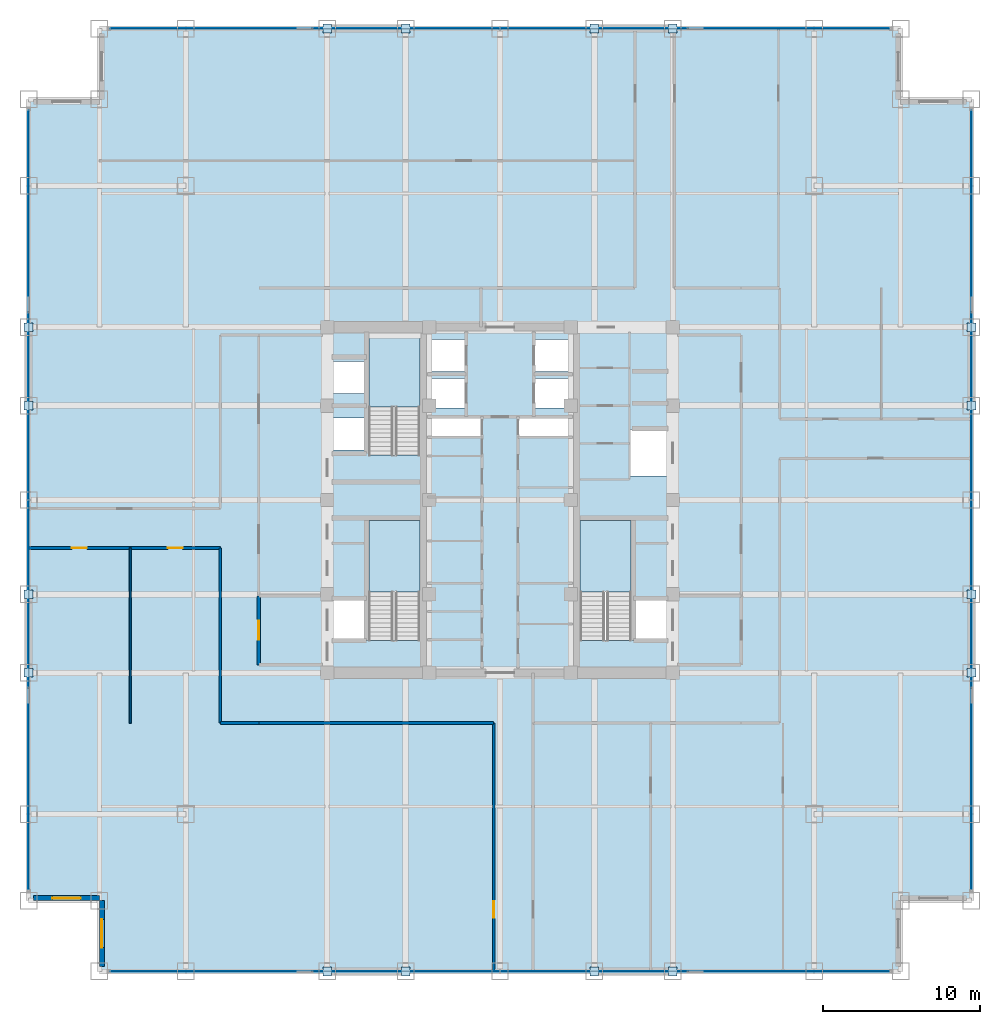
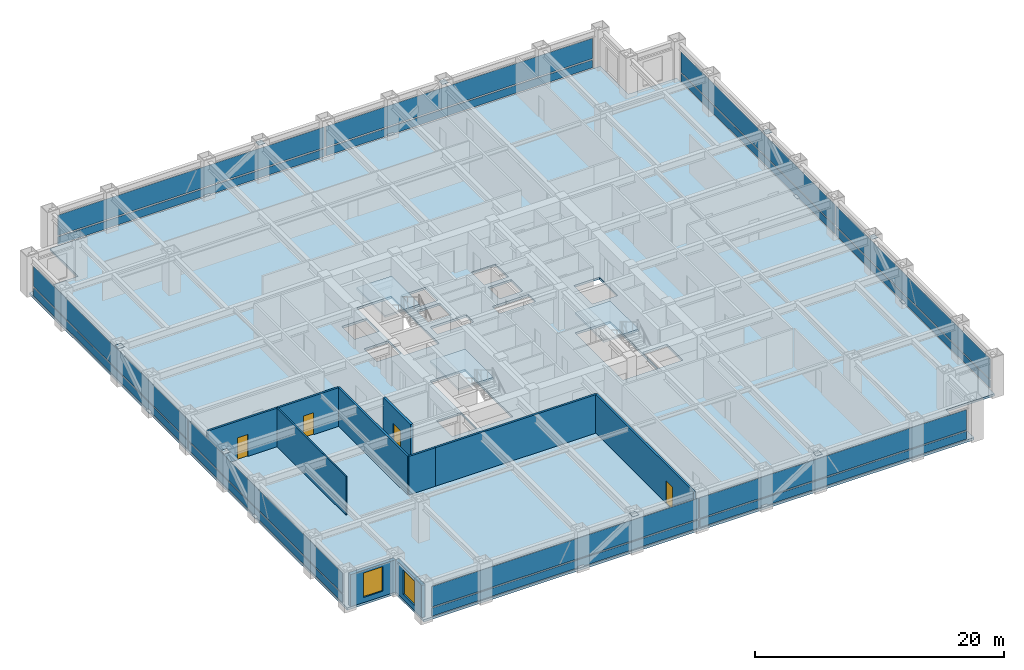
# One storey, part 19 of 25: 32 plates, 9 walls, 4 doors, 4 slabs, 2 windows, 6 openings, 7 elements without a shape of their own.
"""IFC4 building model written with IfcOpenShell, lengths in metres."""

from ifc_helpers import new_model, si_unit, direction, frame, frame_2d, origin, origin_2d, place, context, subcontext, project, spatial, polyline, rectangle, outline, extrude, source, transform, mapped, material, layer, layer_set, type_object, element, fill, aggregate, save


model = new_model("IFC4")

# Units and contexts
model_context = context("Model", 3, precision=1e-05, world=origin(), true_north=direction((0.0, 1.0)))
body_context = subcontext(model_context, "Body", "Model", "MODEL_VIEW")
ifc_project = project(units=[si_unit("LENGTHUNIT", "METRE"), si_unit("AREAUNIT", "SQUARE_METRE"), si_unit("VOLUMEUNIT", "CUBIC_METRE"), si_unit("PLANEANGLEUNIT", "RADIAN"), si_unit("MASSUNIT", "GRAM", prefix="KILO")], contexts=[model_context])

# Site, building, storey
site_placement = place(None, origin())
site = spatial("IfcSite", under=ifc_project, at=site_placement, CompositionType="ELEMENT")
building_placement = place(site_placement, origin())
building = spatial("IfcBuilding", under=site, at=building_placement, Name="Khorayat Bourse Tower", CompositionType="ELEMENT")
storey_placement = place(building_placement, frame((0.0, 0.0, 199.10009765625)))
storey = spatial("IfcBuildingStorey", under=building, at=storey_placement, Name="L46", CompositionType="ELEMENT", Elevation=199.10009765625)

# Stair, slab
ifc_material_1 = material(Name="Concrete C40/50", Category="concrete")
stair_type = type_object("IfcStairType", Name="STR-CORE-1550", PredefinedType="HALF_TURN_STAIR", material=ifc_material_1)
stair_1_placement = place(storey_placement, origin())
stair_1 = element("IfcStair", 1, at=stair_1_placement, inside=storey, type_object=stair_type, Name="L46 Exit Stair ST-1", PredefinedType="HALF_TURN_STAIR")
ifc_layer_1 = layer(ifc_material_1, 0.199951171875)
ifc_layer_set_1 = layer_set([ifc_layer_1], Name="Concrete C40/50")
slab_type_1 = type_object("IfcSlabType", Name="SLB-LANDING-200", PredefinedType="LANDING", material=ifc_layer_set_1)
slab_1_placement = place(storey_placement, frame((0.0, 0.0, 1.7998046875)))
slab_1 = element("IfcSlab", 2, at=slab_1_placement, type_object=slab_type_1, Name="ST-1 landing 1", PredefinedType="LANDING", context=body_context, shape_type="SweptSolid", body=[
    extrude(outline(polyline([(-5.10009765625, -5.8701171875), (-5.10009765625, -1.300048828125), (-8.35009765625, -1.300048828125), (-8.35009765625, -5.8701171875), (-5.10009765625, -5.8701171875)])), origin(), (0.0, 0.0, 1.0), 0.2001953125),
])
aggregate(stair_1, [slab_1])

stair_2_placement = place(storey_placement, origin())
stair_2 = element("IfcStair", 3, at=stair_2_placement, inside=storey, type_object=stair_type, Name="L46 Exit Stair ST-2", PredefinedType="HALF_TURN_STAIR")
slab_2_placement = place(storey_placement, frame((0.0, 0.0, 1.7998046875)))
slab_2 = element("IfcSlab", 4, at=slab_2_placement, type_object=slab_type_1, Name="ST-2 landing 1", PredefinedType="LANDING", context=body_context, shape_type="SweptSolid", body=[
    extrude(outline(polyline([(-5.10009765625, 5.929931640625), (-5.10009765625, 10.5), (-8.35009765625, 10.5), (-8.35009765625, 5.929931640625), (-5.10009765625, 5.929931640625)])), origin(), (0.0, 0.0, 1.0), 0.2001953125),
])
aggregate(stair_2, [slab_2])

stair_3_placement = place(storey_placement, origin())
stair_3 = element("IfcStair", 5, at=stair_3_placement, inside=storey, type_object=stair_type, Name="L46 Exit Stair ST-3", PredefinedType="HALF_TURN_STAIR")
slab_3_placement = place(storey_placement, frame((0.0, 0.0, 1.7998046875)))
slab_3 = element("IfcSlab", 6, at=slab_3_placement, type_object=slab_type_1, Name="ST-3 landing 1", PredefinedType="LANDING", context=body_context, shape_type="SweptSolid", body=[
    extrude(outline(polyline([(8.35009765625, -5.8701171875), (8.35009765625, -1.300048828125), (5.10009765625, -1.300048828125), (5.10009765625, -5.8701171875), (8.35009765625, -5.8701171875)])), origin(), (0.0, 0.0, 1.0), 0.2001953125),
])
aggregate(stair_3, [slab_3])

# Slab
ifc_layer_2 = layer(ifc_material_1, 0.219970703125)
ifc_layer_set_2 = layer_set([ifc_layer_2], Name="Concrete C40/50")
slab_type_2 = type_object("IfcSlabType", Name="SLB-OFFICE-220", PredefinedType="FLOOR", material=ifc_layer_set_2)
slab_4_placement = place(storey_placement, frame((0.0, 0.0, -0.22021484375)))
element("IfcSlab", 7, at=slab_4_placement, inside=storey, type_object=slab_type_2, Name="L46 Main Floor Slab", PredefinedType="FLOOR", context=body_context, shape_type="SweptSolid", body=[
    extrude(outline(polyline([(-25.5, -30.0), (25.5, -30.0), (25.5, -25.5), (30.0, -25.5), (30.0, 25.5), (25.5, 25.5), (25.5, 30.0), (-25.5, 30.0), (-25.5, 25.5), (-30.0, 25.5), (-30.0, -25.5), (-25.5, -25.5), (-25.5, -30.0)]), holes=[polyline([(-8.35009765625, -8.945068359375), (-5.10009765625, -8.945068359375), (-5.10009765625, -1.300048828125), (-8.35009765625, -1.300048828125), (-8.35009765625, -8.945068359375)]), polyline([(-8.35009765625, 2.85498046875), (-5.10009765625, 2.85498046875), (-5.10009765625, 10.5), (-8.35009765625, 10.5), (-8.35009765625, 2.85498046875)]), polyline([(5.10009765625, -8.945068359375), (8.35009765625, -8.945068359375), (8.35009765625, -1.300048828125), (5.10009765625, -1.300048828125), (5.10009765625, -8.945068359375)]), polyline([(-4.3798828125, 8.169921875), (-2.1201171875, 8.169921875), (-2.1201171875, 10.22998046875), (-4.3798828125, 10.22998046875), (-4.3798828125, 8.169921875)]), polyline([(2.1201171875, 8.169921875), (4.3798828125, 8.169921875), (4.3798828125, 10.22998046875), (2.1201171875, 10.22998046875), (2.1201171875, 8.169921875)]), polyline([(-4.3798828125, 5.8701171875), (-2.219970703125, 5.8701171875), (-2.219970703125, 7.72998046875), (-4.3798828125, 7.72998046875), (-4.3798828125, 5.8701171875)]), polyline([(2.219970703125, 5.8701171875), (4.3798828125, 5.8701171875), (4.3798828125, 7.72998046875), (2.219970703125, 7.72998046875), (2.219970703125, 5.8701171875)]), polyline([(-10.679931640625, 3.169921875), (-8.419921875, 3.169921875), (-8.419921875, 5.22998046875), (-10.679931640625, 5.22998046875), (-10.679931640625, 3.169921875)]), polyline([(-10.679931640625, 6.77001953125), (-8.419921875, 6.77001953125), (-8.419921875, 8.830078125), (-10.679931640625, 8.830078125), (-10.679931640625, 6.77001953125)]), polyline([(-10.679931640625, -8.929931640625), (-8.419921875, -8.929931640625), (-8.419921875, -6.3701171875), (-10.679931640625, -6.3701171875), (-10.679931640625, -8.929931640625)]), polyline([(8.419921875, -8.929931640625), (10.679931640625, -8.929931640625), (10.679931640625, -6.3701171875), (8.419921875, -6.3701171875), (8.419921875, -8.929931640625)]), polyline([(8.320068359375, 1.52001953125), (10.679931640625, 1.52001953125), (10.679931640625, 4.47998046875), (8.320068359375, 4.47998046875), (8.320068359375, 1.52001953125)]), polyline([(-4.56005859375, 4.080078125), (-1.18994140625, 4.080078125), (-1.18994140625, 5.219970703125), (-4.56005859375, 5.219970703125), (-4.56005859375, 4.080078125)]), polyline([(1.18994140625, 4.080078125), (4.56005859375, 4.080078125), (4.56005859375, 5.219970703125), (1.18994140625, 5.219970703125), (1.18994140625, 4.080078125)])]), origin(), (0.0, 0.0, 1.0), 0.22021484375),
])

# Plates
ifc_material_2 = material(Name="Steel EN 10025-2 S355J2", Category="steel")
ifc_layer_3 = layer(ifc_material_2, 0.02490234375)
ifc_layer_set_3 = layer_set([ifc_layer_3], Name="Steel EN 10025-2 S355J2")
plate_type_1 = type_object("IfcPlateType", Name="PLT-ENDCAP-25", PredefinedType="SHEET", material=ifc_layer_set_3)
shared_shape_1 = source(origin(), body_context, "Body", "SweptSolid", [
    extrude(rectangle(XDim=0.56005859375, YDim=0.56005859375, at=origin_2d()), origin(), (0.0, 0.0, 1.0), 0.02490234375),
])
for number, where, z_axis, x_axis, name in (
    (8, (-11.0, -30.0, 0.237548828125), (0.0, 0.0, 1.0), (1.0, 0.0, 0.0), "L46 Perimeter Brace End Plate 001"),
    (9, (-6.0, -30.0, 3.517333984375), (0.0, 0.0, 1.0), (1.0, 0.0, 0.0), "L46 Perimeter Brace End Plate 002"),
    (10, (6.0, -30.0, 0.237548828125), (0.0, 0.0, 1.0), (1.0, 0.0, 0.0), "L46 Perimeter Brace End Plate 003"),
    (11, (11.0, -30.0, 3.517333984375), (0.0, 0.0, 1.0), (1.0, 0.0, 0.0), "L46 Perimeter Brace End Plate 004"),
    (12, (-11.0, 30.0, 0.237548828125), (0.0, 0.0, 1.0), (1.0, 0.0, 0.0), "L46 Perimeter Brace End Plate 005"),
    (13, (-6.0, 30.0, 3.517333984375), (0.0, 0.0, 1.0), (1.0, 0.0, 0.0), "L46 Perimeter Brace End Plate 006"),
    (14, (6.0, 30.0, 0.237548828125), (0.0, 0.0, 1.0), (1.0, 0.0, 0.0), "L46 Perimeter Brace End Plate 007"),
    (15, (11.0, 30.0, 3.517333984375), (0.0, 0.0, 1.0), (1.0, 0.0, 0.0), "L46 Perimeter Brace End Plate 008"),
    (16, (-30.0, -11.0, 0.237548828125), (0.0, 0.0, 1.0), (1.0, 0.0, 0.0), "L46 Perimeter Brace End Plate 009"),
    (17, (-30.0, -6.0, 3.517333984375), (0.0, 0.0, 1.0), (1.0, 0.0, 0.0), "L46 Perimeter Brace End Plate 010"),
    (18, (-30.0, 6.0, 0.237548828125), (0.0, 0.0, 1.0), (1.0, 0.0, 0.0), "L46 Perimeter Brace End Plate 011"),
    (19, (-30.0, 11.0, 3.517333984375), (0.0, 0.0, 1.0), (1.0, 0.0, 0.0), "L46 Perimeter Brace End Plate 012"),
    (20, (30.0, -11.0, 0.237548828125), (0.0, 0.0, 1.0), (1.0, 0.0, 0.0), "L46 Perimeter Brace End Plate 013"),
    (21, (30.0, -6.0, 3.517333984375), (0.0, 0.0, 1.0), (1.0, 0.0, 0.0), "L46 Perimeter Brace End Plate 014"),
    (22, (30.0, 6.0, 0.237548828125), (0.0, 0.0, 1.0), (1.0, 0.0, 0.0), "L46 Perimeter Brace End Plate 015"),
    (23, (30.0, 11.0, 3.517333984375), (0.0, 0.0, 1.0), (1.0, 0.0, 0.0), "L46 Perimeter Brace End Plate 016"),
):
    element("IfcPlate", number, at=place(storey_placement, frame(where, z_axis=z_axis, x_axis=x_axis)), inside=storey, type_object=plate_type_1, Name=name, PredefinedType="SHEET", context=body_context, shape_type="MappedRepresentation", body=[
        mapped(shared_shape_1, transform((0.0, 0.0, 0.0), scale=1.0)),
    ])

# Curtain wall, plates
ifc_material_3 = material(Name="Aluminium EN AW-6063 T6", Category="aluminium")
curtain_wall_type = type_object("IfcCurtainWallType", Name="CW-SYS-03", PredefinedType="NOTDEFINED", material=ifc_material_3)
curtain_wall_1_placement = place(storey_placement, origin())
curtain_wall_1 = element("IfcCurtainWall", 24, at=curtain_wall_1_placement, inside=storey, type_object=curtain_wall_type, Name="L46 Curtain Wall CW-L46-S1", PredefinedType="NOTDEFINED")
ifc_material_4 = material(Name="Honed desert limestone insulated spandrel", Category="masonry")
ifc_layer_4 = layer(ifc_material_4, 0.06494140625)
ifc_layer_set_4 = layer_set([ifc_layer_4], Name="Honed desert limestone insulated spandrel")
plate_type_2 = type_object("IfcPlateType", Name="CWP-SPAND-03", PredefinedType="CURTAIN_PANEL", material=ifc_layer_set_4)
shared_shape_2 = source(origin(), body_context, "Body", "SweptSolid", [
    extrude(rectangle(XDim=24.719970703125, YDim=0.06494140625, at=origin_2d()), origin(), (0.0, 0.0, 1.0), 0.77001953125),
])
plate_1_placement = place(storey_placement, frame((-12.419921875, -30.0, 0.119873046875), z_axis=(0.0, 0.0, 1.0), x_axis=(1.0, 0.0, 0.0)))
plate_1 = element("IfcPlate", 25, at=plate_1_placement, type_object=plate_type_2, Name="CW-L46-S1 Spandrel Panel 1-1", PredefinedType="CURTAIN_PANEL", context=body_context, shape_type="MappedRepresentation", body=[
    mapped(shared_shape_2, transform((0.0, 0.0, 0.0), scale=1.0)),
])
plate_2_placement = place(storey_placement, frame((12.419921875, -30.0, 0.119873046875), z_axis=(0.0, 0.0, 1.0), x_axis=(1.0, 0.0, 0.0)))
plate_2 = element("IfcPlate", 26, at=plate_2_placement, type_object=plate_type_2, Name="CW-L46-S1 Spandrel Panel 2-1", PredefinedType="CURTAIN_PANEL", context=body_context, shape_type="MappedRepresentation", body=[
    mapped(shared_shape_2, transform((0.0, 0.0, 0.0), scale=1.0)),
])

curtain_wall_2_placement = place(storey_placement, origin())
curtain_wall_2 = element("IfcCurtainWall", 27, at=curtain_wall_2_placement, inside=storey, type_object=curtain_wall_type, Name="L46 Curtain Wall CW-L46-N1", PredefinedType="NOTDEFINED")
plate_3_placement = place(storey_placement, frame((-12.419921875, 30.0, 0.119873046875), z_axis=(0.0, 0.0, 1.0), x_axis=(1.0, 0.0, 0.0)))
plate_3 = element("IfcPlate", 28, at=plate_3_placement, type_object=plate_type_2, Name="CW-L46-N1 Spandrel Panel 1-1", PredefinedType="CURTAIN_PANEL", context=body_context, shape_type="MappedRepresentation", body=[
    mapped(shared_shape_2, transform((0.0, 0.0, 0.0), scale=1.0)),
])
plate_4_placement = place(storey_placement, frame((12.419921875, 30.0, 0.119873046875), z_axis=(0.0, 0.0, 1.0), x_axis=(1.0, 0.0, 0.0)))
plate_4 = element("IfcPlate", 29, at=plate_4_placement, type_object=plate_type_2, Name="CW-L46-N1 Spandrel Panel 2-1", PredefinedType="CURTAIN_PANEL", context=body_context, shape_type="MappedRepresentation", body=[
    mapped(shared_shape_2, transform((0.0, 0.0, 0.0), scale=1.0)),
])

curtain_wall_3_placement = place(storey_placement, origin())
curtain_wall_3 = element("IfcCurtainWall", 30, at=curtain_wall_3_placement, inside=storey, type_object=curtain_wall_type, Name="L46 Curtain Wall CW-L46-W1", PredefinedType="NOTDEFINED")
plate_5_placement = place(storey_placement, frame((-30.0, -12.419921875, 0.119873046875), z_axis=(0.0, 0.0, 1.0), x_axis=(0.0, 1.0, 0.0)))
plate_5 = element("IfcPlate", 31, at=plate_5_placement, type_object=plate_type_2, Name="CW-L46-W1 Spandrel Panel 1-1", PredefinedType="CURTAIN_PANEL", context=body_context, shape_type="MappedRepresentation", body=[
    mapped(shared_shape_2, transform((0.0, 0.0, 0.0), scale=1.0)),
])
plate_6_placement = place(storey_placement, frame((-30.0, 12.419921875, 0.119873046875), z_axis=(0.0, 0.0, 1.0), x_axis=(0.0, 1.0, 0.0)))
plate_6 = element("IfcPlate", 32, at=plate_6_placement, type_object=plate_type_2, Name="CW-L46-W1 Spandrel Panel 2-1", PredefinedType="CURTAIN_PANEL", context=body_context, shape_type="MappedRepresentation", body=[
    mapped(shared_shape_2, transform((0.0, 0.0, 0.0), scale=1.0)),
])

curtain_wall_4_placement = place(storey_placement, origin())
curtain_wall_4 = element("IfcCurtainWall", 33, at=curtain_wall_4_placement, inside=storey, type_object=curtain_wall_type, Name="L46 Curtain Wall CW-L46-E1", PredefinedType="NOTDEFINED")
plate_7_placement = place(storey_placement, frame((30.0, -12.419921875, 0.119873046875), z_axis=(0.0, 0.0, 1.0), x_axis=(0.0, 1.0, 0.0)))
plate_7 = element("IfcPlate", 34, at=plate_7_placement, type_object=plate_type_2, Name="CW-L46-E1 Spandrel Panel 1-1", PredefinedType="CURTAIN_PANEL", context=body_context, shape_type="MappedRepresentation", body=[
    mapped(shared_shape_2, transform((0.0, 0.0, 0.0), scale=1.0)),
])
plate_8_placement = place(storey_placement, frame((30.0, 12.419921875, 0.119873046875), z_axis=(0.0, 0.0, 1.0), x_axis=(0.0, 1.0, 0.0)))
plate_8 = element("IfcPlate", 35, at=plate_8_placement, type_object=plate_type_2, Name="CW-L46-E1 Spandrel Panel 2-1", PredefinedType="CURTAIN_PANEL", context=body_context, shape_type="MappedRepresentation", body=[
    mapped(shared_shape_2, transform((0.0, 0.0, 0.0), scale=1.0)),
])

# Plate
ifc_material_5 = material(Name="Low-E solar-control laminated double glazing", Category="glass")
ifc_layer_5 = layer(ifc_material_5, 0.035888671875)
ifc_layer_set_5 = layer_set([ifc_layer_5], Name="Low-E solar-control laminated double glazing")
plate_type_3 = type_object("IfcPlateType", Name="CWP-VIS-01", PredefinedType="CURTAIN_PANEL", material=ifc_layer_set_5)
shared_shape_3 = source(origin(), body_context, "Body", "SweptSolid", [
    extrude(rectangle(XDim=24.719970703125, YDim=0.035888671875, at=origin_2d()), origin(), (0.0, 0.0, 1.0), 2.0),
])
plate_9_placement = place(storey_placement, frame((-12.419921875, -30.0, 1.010009765625), z_axis=(0.0, 0.0, 1.0), x_axis=(1.0, 0.0, 0.0)))
plate_9 = element("IfcPlate", 36, at=plate_9_placement, type_object=plate_type_3, Name="CW-L46-S1 Vision Panel 1-2", PredefinedType="CURTAIN_PANEL", context=body_context, shape_type="MappedRepresentation", body=[
    mapped(shared_shape_3, transform((0.0, 0.0, 0.0), scale=1.0)),
])

plate_10_placement = place(storey_placement, frame((12.419921875, -30.0, 1.010009765625), z_axis=(0.0, 0.0, 1.0), x_axis=(1.0, 0.0, 0.0)))
plate_10 = element("IfcPlate", 37, at=plate_10_placement, type_object=plate_type_3, Name="CW-L46-S1 Vision Panel 2-2", PredefinedType="CURTAIN_PANEL", context=body_context, shape_type="MappedRepresentation", body=[
    mapped(shared_shape_3, transform((0.0, 0.0, 0.0), scale=1.0)),
])

aggregate(curtain_wall_1, [plate_1, plate_9, plate_2, plate_10])

plate_11_placement = place(storey_placement, frame((-12.419921875, 30.0, 1.010009765625), z_axis=(0.0, 0.0, 1.0), x_axis=(1.0, 0.0, 0.0)))
plate_11 = element("IfcPlate", 38, at=plate_11_placement, type_object=plate_type_3, Name="CW-L46-N1 Vision Panel 1-2", PredefinedType="CURTAIN_PANEL", context=body_context, shape_type="MappedRepresentation", body=[
    mapped(shared_shape_3, transform((0.0, 0.0, 0.0), scale=1.0)),
])

plate_12_placement = place(storey_placement, frame((12.419921875, 30.0, 1.010009765625), z_axis=(0.0, 0.0, 1.0), x_axis=(1.0, 0.0, 0.0)))
plate_12 = element("IfcPlate", 39, at=plate_12_placement, type_object=plate_type_3, Name="CW-L46-N1 Vision Panel 2-2", PredefinedType="CURTAIN_PANEL", context=body_context, shape_type="MappedRepresentation", body=[
    mapped(shared_shape_3, transform((0.0, 0.0, 0.0), scale=1.0)),
])

aggregate(curtain_wall_2, [plate_3, plate_11, plate_4, plate_12])

plate_13_placement = place(storey_placement, frame((-30.0, -12.419921875, 1.010009765625), z_axis=(0.0, 0.0, 1.0), x_axis=(0.0, 1.0, 0.0)))
plate_13 = element("IfcPlate", 40, at=plate_13_placement, type_object=plate_type_3, Name="CW-L46-W1 Vision Panel 1-2", PredefinedType="CURTAIN_PANEL", context=body_context, shape_type="MappedRepresentation", body=[
    mapped(shared_shape_3, transform((0.0, 0.0, 0.0), scale=1.0)),
])

plate_14_placement = place(storey_placement, frame((-30.0, 12.419921875, 1.010009765625), z_axis=(0.0, 0.0, 1.0), x_axis=(0.0, 1.0, 0.0)))
plate_14 = element("IfcPlate", 41, at=plate_14_placement, type_object=plate_type_3, Name="CW-L46-W1 Vision Panel 2-2", PredefinedType="CURTAIN_PANEL", context=body_context, shape_type="MappedRepresentation", body=[
    mapped(shared_shape_3, transform((0.0, 0.0, 0.0), scale=1.0)),
])

aggregate(curtain_wall_3, [plate_5, plate_13, plate_6, plate_14])

plate_15_placement = place(storey_placement, frame((30.0, -12.419921875, 1.010009765625), z_axis=(0.0, 0.0, 1.0), x_axis=(0.0, 1.0, 0.0)))
plate_15 = element("IfcPlate", 42, at=plate_15_placement, type_object=plate_type_3, Name="CW-L46-E1 Vision Panel 1-2", PredefinedType="CURTAIN_PANEL", context=body_context, shape_type="MappedRepresentation", body=[
    mapped(shared_shape_3, transform((0.0, 0.0, 0.0), scale=1.0)),
])

plate_16_placement = place(storey_placement, frame((30.0, 12.419921875, 1.010009765625), z_axis=(0.0, 0.0, 1.0), x_axis=(0.0, 1.0, 0.0)))
plate_16 = element("IfcPlate", 43, at=plate_16_placement, type_object=plate_type_3, Name="CW-L46-E1 Vision Panel 2-2", PredefinedType="CURTAIN_PANEL", context=body_context, shape_type="MappedRepresentation", body=[
    mapped(shared_shape_3, transform((0.0, 0.0, 0.0), scale=1.0)),
])

aggregate(curtain_wall_4, [plate_7, plate_15, plate_8, plate_16])

# Wall, opening, window
ifc_material_6 = material(Name="Precast concrete C45/55", Category="concrete")
ifc_layer_6 = layer(ifc_material_6, 0.320068359375)
ifc_layer_set_6 = layer_set([ifc_layer_6], Name="Precast concrete C45/55")
wall_type_1 = type_object("IfcWallType", Name="WAL-EXT-STONE-320", PredefinedType="STANDARD", material=ifc_layer_set_6)
shared_shape_4 = source(origin(), body_context, "Body", "SweptSolid", [
    extrude(rectangle(XDim=4.179931640625, YDim=0.320068359375, at=frame_2d((2.08984375, 0.0))), origin(), (0.0, 0.0, 1.0), 3.163818359375),
])
wall_1_placement = place(storey_placement, frame((-25.5, -25.340087890625, 0.0), z_axis=(0.0, 0.0, 1.0), x_axis=(-1.0, 0.0, 0.0)))
wall_1 = element("IfcWall", 44, at=wall_1_placement, inside=storey, type_object=wall_type_1, Name="L46 Re-Entrant Notch Limestone Wall SW-H", PredefinedType="STANDARD", context=body_context, shape_type="MappedRepresentation", body=[
    mapped(shared_shape_4, transform((0.0, 0.0, 0.0), scale=1.0)),
])
shared_shape_5 = source(origin(), body_context, "Body", "SweptSolid", [
    extrude(rectangle(XDim=1.800048828125, YDim=2.39990234375, at=frame_2d((0.89990234375, 1.199951171875))), frame((0.0, 0.169921875, 0.0), z_axis=(0.0, -1.0, 0.0), x_axis=(1.0, 0.0, 0.0)), (0.0, 0.0, 1.0), 0.340087890625),
])
opening_1_placement = place(wall_1_placement, frame((1.18994140625, 0.0, 0.5)))
opening_1 = element("IfcOpeningElement", 45, at=opening_1_placement, cuts=wall_1, Name="Opening WN-04", PredefinedType="OPENING", context=body_context, shape_type="MappedRepresentation", body=[
    mapped(shared_shape_5, transform((0.0, 0.0, 0.0), scale=1.0)),
])
ifc_material_7 = material(Name="Low-E acoustic laminated double glazing", Category="glass")
window_type = type_object("IfcWindowType", Name="WIN-NOTCH-1800x2400", PartitioningType="SINGLE_PANEL", PredefinedType="WINDOW", material=ifc_material_7)
shared_shape_6 = source(origin(), body_context, "Body", "SweptSolid", [
    extrude(rectangle(XDim=1.800048828125, YDim=2.39990234375, at=frame_2d((0.89990234375, 1.199951171875))), frame((0.0, 0.030029296875, 0.0), z_axis=(0.0, -1.0, 0.0), x_axis=(1.0, 0.0, 0.0)), (0.0, 0.0, 1.0), 0.06005859375),
])
window_1_placement = place(opening_1_placement, origin())
window_1 = element("IfcWindow", 46, at=window_1_placement, inside=storey, type_object=window_type, Name="L46 Facade Window 1", OverallHeight=2.39990234375, OverallWidth=1.800048828125, PartitioningType="SINGLE_PANEL", PredefinedType="WINDOW", context=body_context, shape_type="MappedRepresentation", body=[
    mapped(shared_shape_6, transform((0.0, 0.0, 0.0), scale=1.0)),
])
fill(opening_1, window_1)

wall_2_placement = place(storey_placement, frame((-25.340087890625, -29.679931640625, 0.0), z_axis=(0.0, 0.0, 1.0), x_axis=(0.0, 1.0, 0.0)))
wall_2 = element("IfcWall", 47, at=wall_2_placement, inside=storey, type_object=wall_type_1, Name="L46 Re-Entrant Notch Limestone Wall SW-V", PredefinedType="STANDARD", context=body_context, shape_type="MappedRepresentation", body=[
    mapped(shared_shape_4, transform((0.0, 0.0, 0.0), scale=1.0)),
])
opening_2_placement = place(wall_2_placement, frame((1.18994140625, 0.0, 0.5)))
opening_2 = element("IfcOpeningElement", 48, at=opening_2_placement, cuts=wall_2, Name="Opening WN-04", PredefinedType="OPENING", context=body_context, shape_type="MappedRepresentation", body=[
    mapped(shared_shape_5, transform((0.0, 0.0, 0.0), scale=1.0)),
])
window_2_placement = place(opening_2_placement, origin())
window_2 = element("IfcWindow", 49, at=window_2_placement, inside=storey, type_object=window_type, Name="L46 Facade Window 1", OverallHeight=2.39990234375, OverallWidth=1.800048828125, PartitioningType="SINGLE_PANEL", PredefinedType="WINDOW", context=body_context, shape_type="MappedRepresentation", body=[
    mapped(shared_shape_6, transform((0.0, 0.0, 0.0), scale=1.0)),
])
fill(opening_2, window_2)

# Wall, opening, door
ifc_material_8 = material(Name="Aerated concrete blockwork", Category="masonry")
ifc_layer_7 = layer(ifc_material_8, 0.219970703125)
ifc_layer_set_7 = layer_set([ifc_layer_7], Name="Aerated concrete blockwork")
wall_type_2 = type_object("IfcWallType", Name="WAL-PART-FF-220", PredefinedType="PARTITIONING", material=ifc_layer_set_7)
shared_shape_7 = source(origin(), body_context, "Body", "SweptSolid", [
    extrude(rectangle(XDim=4.39990234375, YDim=0.219970703125, at=frame_2d((2.199951171875, 0.0))), origin(), (0.0, 0.0, 1.0), 3.77978515625),
])
wall_3_placement = place(storey_placement, frame((-15.35009765625, -10.5, 0.0), z_axis=(0.0, 0.0, 1.0), x_axis=(0.0, 1.0, 0.0)))
wall_3 = element("IfcWall", 50, at=wall_3_placement, inside=storey, type_object=wall_type_2, Name="L46 Partition WAL-L46-FFLW-W", PredefinedType="PARTITIONING", context=body_context, shape_type="MappedRepresentation", body=[
    mapped(shared_shape_7, transform((0.0, 0.0, 0.0), scale=1.0)),
])
shared_shape_8 = source(origin(), body_context, "Body", "SweptSolid", [
    extrude(rectangle(XDim=1.199951171875, YDim=2.199951171875, at=frame_2d((0.60009765625, 1.10009765625))), frame((0.0, 0.119873046875, 0.0), z_axis=(0.0, -1.0, 0.0), x_axis=(1.0, 0.0, 0.0)), (0.0, 0.0, 1.0), 0.239990234375),
])
opening_3_placement = place(wall_3_placement, frame((1.60009765625, 0.0, 0.0)))
opening_3 = element("IfcOpeningElement", 51, at=opening_3_placement, cuts=wall_3, Name="Opening DI-02", PredefinedType="OPENING", context=body_context, shape_type="MappedRepresentation", body=[
    mapped(shared_shape_8, transform((0.0, 0.0, 0.0), scale=1.0)),
])
ifc_material_9 = material(Name="Fire-rated steel double-seal leaf", Category="steel")
door_type_1 = type_object("IfcDoorType", Name="DR-INT-FFLOBBY-1200", OperationType="NOTDEFINED", PredefinedType="DOOR", material=ifc_material_9)
shared_shape_9 = source(origin(), body_context, "Body", "SweptSolid", [
    extrude(rectangle(XDim=1.199951171875, YDim=2.199951171875, at=frame_2d((0.60009765625, 1.10009765625))), frame((0.0, 0.02490234375, 0.0), z_axis=(0.0, -1.0, 0.0), x_axis=(1.0, 0.0, 0.0)), (0.0, 0.0, 1.0), 0.050048828125),
])
door_1_placement = place(opening_3_placement, origin())
door_1 = element("IfcDoor", 52, at=door_1_placement, inside=storey, type_object=door_type_1, Name="L46 West Firefighting Lobby Door", OperationType="SINGLE_SWING_LEFT", OverallHeight=2.199951171875, OverallWidth=1.199951171875, PredefinedType="DOOR", context=body_context, shape_type="MappedRepresentation", body=[
    mapped(shared_shape_9, transform((0.0, 0.0, 0.0), scale=1.0)),
])
fill(opening_3, door_1)

# Wall
ifc_material_10 = material(Name="Gypsum plasterboard acoustic stud wall")
ifc_layer_8 = layer(ifc_material_10, 0.179931640625)
ifc_layer_set_8 = layer_set([ifc_layer_8], Name="Gypsum plasterboard acoustic stud wall")
wall_type_3 = type_object("IfcWallType", Name="WAL-PART-CORR-180", PredefinedType="PARTITIONING", material=ifc_layer_set_8)
shared_shape_10 = source(origin(), body_context, "Body", "SweptSolid", [
    extrude(rectangle(XDim=2.449951171875, YDim=0.179931640625, at=frame_2d((1.22509765625, 0.0))), origin(), (0.0, 0.0, 1.0), 3.77978515625),
])
wall_4_placement = place(storey_placement, frame((-17.800048828125, -14.199951171875, 0.0), z_axis=(0.0, 0.0, 1.0), x_axis=(1.0, 0.0, 0.0)))
element("IfcWall", 53, at=wall_4_placement, inside=storey, type_object=wall_type_3, Name="L46 Partition WAL-L46-C2-WS", PredefinedType="PARTITIONING", context=body_context, shape_type="MappedRepresentation", body=[
    mapped(shared_shape_10, transform((0.0, 0.0, 0.0), scale=1.0)),
])

# Wall, opening, door
shared_shape_11 = source(origin(), body_context, "Body", "SweptSolid", [
    extrude(rectangle(XDim=15.800048828125, YDim=0.179931640625, at=frame_2d((7.89990234375, 0.0))), origin(), (0.0, 0.0, 1.0), 3.77978515625),
])
wall_5_placement = place(storey_placement, frame((-0.39990234375, -30.0, 0.0), z_axis=(0.0, 0.0, 1.0), x_axis=(0.0, 1.0, 0.0)))
wall_5 = element("IfcWall", 54, at=wall_5_placement, inside=storey, type_object=wall_type_3, Name="L46 Partition WAL-L46-QSW-SPK", PredefinedType="PARTITIONING", context=body_context, shape_type="MappedRepresentation", body=[
    mapped(shared_shape_11, transform((0.0, 0.0, 0.0), scale=1.0)),
])
shared_shape_12 = source(origin(), body_context, "Body", "SweptSolid", [
    extrude(rectangle(XDim=1.050048828125, YDim=2.199951171875, at=frame_2d((0.52490234375, 1.10009765625))), frame((0.0, 0.099853515625, 0.0), z_axis=(0.0, -1.0, 0.0), x_axis=(1.0, 0.0, 0.0)), (0.0, 0.0, 1.0), 0.199951171875),
])
opening_4_placement = place(wall_5_placement, frame((3.425048828125, 0.0, 0.0)))
opening_4 = element("IfcOpeningElement", 55, at=opening_4_placement, cuts=wall_5, Name="Opening DI-04", PredefinedType="OPENING", context=body_context, shape_type="MappedRepresentation", body=[
    mapped(shared_shape_12, transform((0.0, 0.0, 0.0), scale=1.0)),
])
ifc_material_11 = material(Name="Fire-rated oak veneer suite entrance door")
door_type_2 = type_object("IfcDoorType", Name="DR-INT-SUITE-1050", OperationType="NOTDEFINED", PredefinedType="DOOR", material=ifc_material_11)
shared_shape_13 = source(origin(), body_context, "Body", "SweptSolid", [
    extrude(rectangle(XDim=1.050048828125, YDim=2.199951171875, at=frame_2d((0.52490234375, 1.10009765625))), frame((0.0, 0.02490234375, 0.0), z_axis=(0.0, -1.0, 0.0), x_axis=(1.0, 0.0, 0.0)), (0.0, 0.0, 1.0), 0.050048828125),
])
door_2_placement = place(opening_4_placement, origin())
door_2 = element("IfcDoor", 56, at=door_2_placement, inside=storey, type_object=door_type_2, Name="L46 South-West Radial Spoke Entry", OperationType="SINGLE_SWING_LEFT", OverallHeight=2.199951171875, OverallWidth=1.050048828125, PredefinedType="DOOR", context=body_context, shape_type="MappedRepresentation", body=[
    mapped(shared_shape_13, transform((0.0, 0.0, 0.0), scale=1.0)),
])
fill(opening_4, door_2)

# Wall, openings, doors
shared_shape_14 = source(origin(), body_context, "Body", "SweptSolid", [
    extrude(rectangle(XDim=12.199951171875, YDim=0.179931640625, at=frame_2d((6.10009765625, 0.0))), origin(), (0.0, 0.0, 1.0), 3.77978515625),
])
wall_6_placement = place(storey_placement, frame((-30.0, -3.050048828125, 0.0), z_axis=(0.0, 0.0, 1.0), x_axis=(1.0, 0.0, 0.0)))
wall_6 = element("IfcWall", 57, at=wall_6_placement, inside=storey, type_object=wall_type_3, Name="L46 Partition WAL-L46-WS-SPK", PredefinedType="PARTITIONING", context=body_context, shape_type="MappedRepresentation", body=[
    mapped(shared_shape_14, transform((0.0, 0.0, 0.0), scale=1.0)),
])
shared_shape_15 = source(origin(), body_context, "Body", "SweptSolid", [
    extrude(rectangle(XDim=0.949951171875, YDim=2.14990234375, at=frame_2d((0.47509765625, 1.074951171875))), frame((0.0, 0.099853515625, 0.0), z_axis=(0.0, -1.0, 0.0), x_axis=(1.0, 0.0, 0.0)), (0.0, 0.0, 1.0), 0.199951171875),
])
opening_5_placement = place(wall_6_placement, frame((2.758056640625, 0.0, 0.0)))
opening_5 = element("IfcOpeningElement", 58, at=opening_5_placement, cuts=wall_6, Name="Opening DI-05", PredefinedType="OPENING", context=body_context, shape_type="MappedRepresentation", body=[
    mapped(shared_shape_15, transform((0.0, 0.0, 0.0), scale=1.0)),
])
opening_6_placement = place(wall_6_placement, frame((8.85791015625, 0.0, 0.0)))
opening_6 = element("IfcOpeningElement", 59, at=opening_6_placement, cuts=wall_6, Name="Opening DI-05", PredefinedType="OPENING", context=body_context, shape_type="MappedRepresentation", body=[
    mapped(shared_shape_15, transform((0.0, 0.0, 0.0), scale=1.0)),
])
ifc_material_12 = material(Name="Acoustic oak veneer office door")
door_type_3 = type_object("IfcDoorType", Name="DR-INT-OFFICE-950", OperationType="NOTDEFINED", PredefinedType="DOOR", material=ifc_material_12)
shared_shape_16 = source(origin(), body_context, "Body", "SweptSolid", [
    extrude(rectangle(XDim=0.949951171875, YDim=2.14990234375, at=frame_2d((0.47509765625, 1.074951171875))), frame((0.0, 0.02490234375, 0.0), z_axis=(0.0, -1.0, 0.0), x_axis=(1.0, 0.0, 0.0)), (0.0, 0.0, 1.0), 0.050048828125),
])
door_3_placement = place(opening_5_placement, origin())
door_3 = element("IfcDoor", 60, at=door_3_placement, inside=storey, type_object=door_type_3, Name="L46 Staff Tea Pantry WSA Door", OperationType="SINGLE_SWING_LEFT", OverallHeight=2.14990234375, OverallWidth=0.949951171875, PredefinedType="DOOR", context=body_context, shape_type="MappedRepresentation", body=[
    mapped(shared_shape_16, transform((0.0, 0.0, 0.0), scale=1.0)),
])
fill(opening_5, door_3)
door_4_placement = place(opening_6_placement, origin())
door_4 = element("IfcDoor", 61, at=door_4_placement, inside=storey, type_object=door_type_3, Name="L46 Quantitative Research Study WSB Door", OperationType="SINGLE_SWING_RIGHT", OverallHeight=2.14990234375, OverallWidth=0.949951171875, PredefinedType="DOOR", context=body_context, shape_type="MappedRepresentation", body=[
    mapped(shared_shape_16, transform((0.0, 0.0, 0.0), scale=1.0)),
])
fill(opening_6, door_4)

# Walls
shared_shape_17 = source(origin(), body_context, "Body", "SweptSolid", [
    extrude(rectangle(XDim=14.9501953125, YDim=0.179931640625, at=frame_2d((7.47509765625, 0.0))), origin(), (0.0, 0.0, 1.0), 3.77978515625),
])
wall_7_placement = place(storey_placement, frame((-15.35009765625, -14.199951171875, 0.0), z_axis=(0.0, 0.0, 1.0), x_axis=(1.0, 0.0, 0.0)))
element("IfcWall", 62, at=wall_7_placement, inside=storey, type_object=wall_type_3, Name="L46 Partition WAL-L46-QSW-HC", PredefinedType="PARTITIONING", context=body_context, shape_type="MappedRepresentation", body=[
    mapped(shared_shape_17, transform((0.0, 0.0, 0.0), scale=1.0)),
])
ifc_material_13 = material(Name="Gypsum plasterboard partition")
ifc_layer_9 = layer(ifc_material_13, 0.125)
ifc_layer_set_9 = layer_set([ifc_layer_9], Name="Gypsum plasterboard partition")
wall_type_4 = type_object("IfcWallType", Name="WAL-PART-ROOM-125", PredefinedType="PARTITIONING", material=ifc_layer_set_9)
shared_shape_18 = source(origin(), body_context, "Body", "SweptSolid", [
    extrude(rectangle(XDim=11.14990234375, YDim=0.125, at=frame_2d((5.574951171875, 0.0))), origin(), (0.0, 0.0, 1.0), 3.77978515625),
])
wall_8_placement = place(storey_placement, frame((-23.533935546875, -14.199951171875, 0.0), z_axis=(0.0, 0.0, 1.0), x_axis=(0.0, 1.0, 0.0)))
element("IfcWall", 63, at=wall_8_placement, inside=storey, type_object=wall_type_4, Name="L46 Partition WAL-L46-WS-DV", PredefinedType="PARTITIONING", context=body_context, shape_type="MappedRepresentation", body=[
    mapped(shared_shape_18, transform((0.0, 0.0, 0.0), scale=1.0)),
])
shared_shape_19 = source(origin(), body_context, "Body", "SweptSolid", [
    extrude(rectangle(XDim=11.14990234375, YDim=0.179931640625, at=frame_2d((5.574951171875, 0.0))), origin(), (0.0, 0.0, 1.0), 3.77978515625),
])
wall_9_placement = place(storey_placement, frame((-17.800048828125, -14.199951171875, 0.0), z_axis=(0.0, 0.0, 1.0), x_axis=(0.0, 1.0, 0.0)))
element("IfcWall", 64, at=wall_9_placement, inside=storey, type_object=wall_type_3, Name="L46 Partition WAL-L46-WS-IN", PredefinedType="PARTITIONING", context=body_context, shape_type="MappedRepresentation", body=[
    mapped(shared_shape_19, transform((0.0, 0.0, 0.0), scale=1.0)),
])

save(model, "model.ifc")
